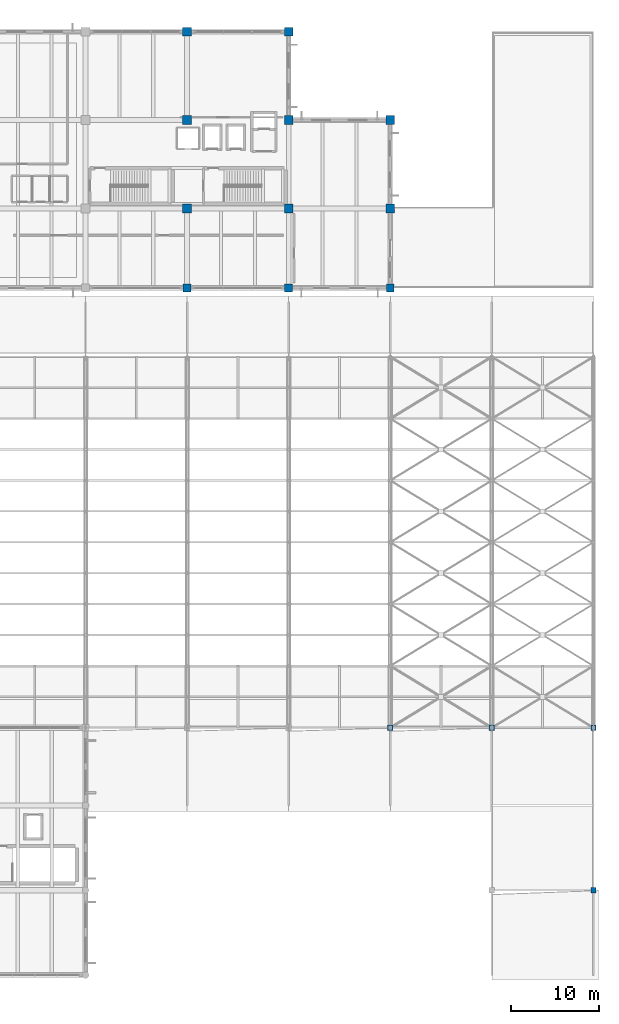
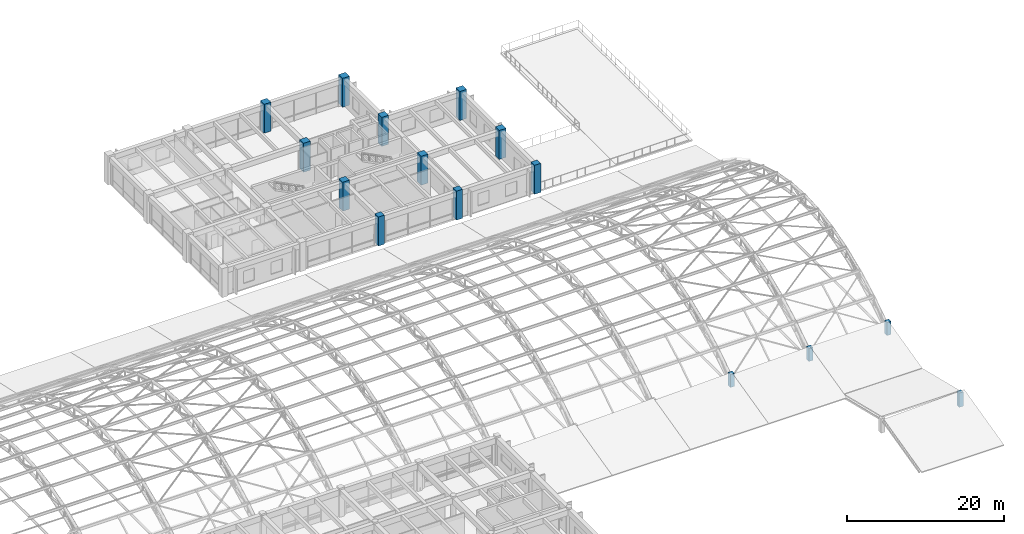
# One storey, part 2 of 154: 15 columns.
"""IFC4 building model written with IfcOpenShell, lengths in metres."""

import ifcopenshell
import ifcopenshell.guid

model = None  # the IFC model being written
_history = None  # IfcOwnerHistory: only IFC2X3 demands one
_inside = {}  # id of a spatial element -> (the spatial element, [elements in it])
_under = {}  # id of a project, library or spatial element -> (it, [spatial elements below it])
_declared = {}  # id of a project -> (the project, [libraries it declares])
_typed = {}  # id of a type object -> (the type object, [elements of that type])
_made_of = {}  # id of a material, layer set ... -> (it, [elements and type objects made of it])


def new_model(schema):
    """Start an empty IFC model of exactly this schema.

    Asked for "IFC4X3", IfcOpenShell would pick the latest addendum, in which some entities
    have other attributes; the version numbers below select the first issue.
    IFC2X3 requires an IfcOwnerHistory on every rooted entity: one is made here for all.
    """
    global model, _history
    if schema == "IFC4X3":
        model = ifcopenshell.file(schema_version=(4, 3, 0, 0))
    else:
        model = ifcopenshell.file(schema=schema)
    _inside.clear()
    _under.clear()
    _declared.clear()
    _typed.clear()
    _made_of.clear()
    _history = None
    if model.schema == "IFC2X3":
        org = make("IfcOrganization", Name="unknown")
        user = make(
            "IfcPersonAndOrganization",
            ThePerson=make("IfcPerson", FamilyName="unknown"),
            TheOrganization=org,
        )
        app = make(
            "IfcApplication",
            ApplicationDeveloper=org,
            Version="unknown",
            ApplicationFullName="unknown",
            ApplicationIdentifier="unknown",
        )
        _history = make(
            "IfcOwnerHistory",
            OwningUser=user,
            OwningApplication=app,
            ChangeAction="ADDED",
            CreationDate=0,
        )
    return model


def make(cls, **values):
    """One entity of the class cls with the attributes given. An attribute that is None is left unset."""
    return model.create_entity(
        cls, **{name: value for name, value in values.items() if value is not None}
    )


def rooted(cls, **values):
    """An entity with a GlobalId (a new one), such as an element, a storey or a relation."""
    return make(cls, GlobalId=ifcopenshell.guid.new(), OwnerHistory=_history, **values)


def si_unit(unit_type, name, prefix=None):
    """IfcSIUnit, for example si_unit("LENGTHUNIT", "METRE", prefix="MILLI")."""
    return make("IfcSIUnit", UnitType=unit_type, Prefix=prefix, Name=name)


def assignment(units):
    """IfcUnitAssignment: the units of a project."""
    return None if units is None else make("IfcUnitAssignment", Units=units)


def point(xyz):
    """IfcCartesianPoint."""
    return None if xyz is None else make("IfcCartesianPoint", Coordinates=xyz)


def direction(xyz):
    """IfcDirection."""
    return None if xyz is None else make("IfcDirection", DirectionRatios=xyz)


def frame(location, z_axis=None, x_axis=None):
    """IfcAxis2Placement3D, a coordinate frame: its origin and axes. An axis left out is left unset."""
    return make(
        "IfcAxis2Placement3D",
        Location=point(location),
        Axis=direction(z_axis),
        RefDirection=direction(x_axis),
    )


def frame_2d(location, x_axis=None):
    """IfcAxis2Placement2D, a coordinate frame in the plane: its origin and x axis."""
    return make(
        "IfcAxis2Placement2D", Location=point(location), RefDirection=direction(x_axis)
    )


def origin():
    """The frame at (0, 0, 0) with its axes left unset."""
    return frame((0.0, 0.0, 0.0))


def origin_2d():
    """The frame at (0, 0) in the plane with its x axis left unset."""
    return frame_2d((0.0, 0.0))


def place(relative_to, where):
    """IfcLocalPlacement: puts the frame where relative to a parent placement (None: the world)."""
    return make(
        "IfcLocalPlacement", PlacementRelTo=relative_to, RelativePlacement=where
    )


def context(
    kind, dimensions, precision=None, world=None, true_north=None, identifier=None
):
    """IfcGeometricRepresentationContext, for example the 3D "Model" context."""
    return make(
        "IfcGeometricRepresentationContext",
        ContextIdentifier=identifier,
        ContextType=kind,
        CoordinateSpaceDimension=dimensions,
        Precision=precision,
        WorldCoordinateSystem=world,
        TrueNorth=true_north,
    )


def subcontext(parent, identifier, kind, view, scale=None):
    """IfcGeometricRepresentationSubContext, for example "Body" below "Model"."""
    return make(
        "IfcGeometricRepresentationSubContext",
        ContextIdentifier=identifier,
        ContextType=kind,
        ParentContext=parent,
        TargetScale=scale,
        TargetView=view,
    )


def project(units=None, contexts=None):
    """IfcProject with its units and contexts."""
    return rooted(
        "IfcProject",
        Name="project",
        RepresentationContexts=contexts,
        UnitsInContext=assignment(units),
    )


def spatial(cls, under=None, at=None, **own):
    """A site, building, storey or space (cls), placed at a placement, below another one or the project."""
    s = rooted(cls, ObjectPlacement=at, **own)
    if under is not None:
        _under.setdefault(under.id(), (under, []))[1].append(s)
    return s


def profile(cls, at=None, kind="AREA", **sizes):
    """A parametric profile (cls). Its sizes go by their IFC names, for example OverallWidth=200.0."""
    return make(cls, ProfileType=kind, Position=at, **sizes)


def rectangle(**sizes):
    """IfcRectangleProfileDef."""
    return profile("IfcRectangleProfileDef", **sizes)


def extrude(swept, where, along, depth):
    """IfcExtrudedAreaSolid: the profile swept, set in the frame where, extruded along a direction by depth."""
    return make(
        "IfcExtrudedAreaSolid",
        SweptArea=swept,
        Position=where,
        ExtrudedDirection=direction(along),
        Depth=depth,
    )


def shape(context_of_items, identifier, shape_type, items):
    """IfcShapeRepresentation: the items that make up one representation, for example the "Body"."""
    return make(
        "IfcShapeRepresentation",
        ContextOfItems=context_of_items,
        RepresentationIdentifier=identifier,
        RepresentationType=shape_type,
        Items=items,
    )


def material(Name=None, Category=None):
    """IfcMaterial."""
    return make("IfcMaterial", Name=Name, Category=Category)


def material_profile(
    of_material, cross_section, Name=None, Category=None, Priority=None
):
    """IfcMaterialProfile: a cross section and its material."""
    return make(
        "IfcMaterialProfile",
        Name=Name,
        Material=of_material,
        Profile=cross_section,
        Priority=Priority,
        Category=Category,
    )


def profile_set(profiles, Name=None, composite=None):
    """IfcMaterialProfileSet."""
    return make(
        "IfcMaterialProfileSet",
        Name=Name,
        MaterialProfiles=profiles,
        CompositeProfile=composite,
    )


def made_of(thing, what):
    """Note that an element or type object is made of a material, layer set ...; save() writes the relation."""
    if what is not None:
        _made_of.setdefault(what.id(), (what, []))[1].append(thing)
    return thing


def type_object(cls, material=None, **own):
    """A type object (cls), such as IfcWallType, which elements share."""
    return made_of(rooted(cls, **own), material)


def element(
    cls,
    number,
    at=None,
    inside=None,
    cuts=None,
    type_object=None,
    material=None,
    context=None,
    identifier="Body",
    shape_type=None,
    held_by="IfcProductDefinitionShape",
    body=None,
    shapes=None,
    **own,
):
    """One element of the class cls, such as IfcWall. Its Tag is "e" and its number.

    at: its placement. inside: the storey or other place that contains it. cuts: it is an
    opening in that element (IfcRelVoidsElement). A single representation is given by context,
    identifier, shape_type and body (its items); several are given by shapes. held_by: the class
    of the entity that holds the representations. save() writes the other relations.
    """
    e = rooted(cls, Tag="e%d" % number, ObjectPlacement=at, **own)
    if body is not None:
        shapes = [shape(context, identifier, shape_type, body)]
    if shapes is not None:
        e.Representation = make(held_by, Representations=shapes)
    if inside is not None:
        _inside.setdefault(inside.id(), (inside, []))[1].append(e)
    if cuts is not None:
        rooted(
            "IfcRelVoidsElement", RelatingBuildingElement=cuts, RelatedOpeningElement=e
        )
    if type_object is not None:
        _typed.setdefault(type_object.id(), (type_object, []))[1].append(e)
    return made_of(e, material)


def aggregate(whole, parts):
    """IfcRelAggregates: a whole, such as a stair, and the parts it consists of."""
    return rooted("IfcRelAggregates", RelatingObject=whole, RelatedObjects=parts)


def save(model, path):
    """Write the relations noted so far, then the file.

    IfcRelAggregates (storeys below a building ...), IfcRelContainedInSpatialStructure (elements
    in a storey), IfcRelDefinesByType, IfcRelAssociatesMaterial and IfcRelDeclares: one each for
    every whole, place, type object, material and project.
    """
    for whole, parts in _under.values():
        aggregate(whole, parts)
    for where, things in _inside.values():
        rooted(
            "IfcRelContainedInSpatialStructure",
            RelatedElements=things,
            RelatingStructure=where,
        )
    for kind, things in _typed.values():
        rooted("IfcRelDefinesByType", RelatedObjects=things, RelatingType=kind)
    for what, things in _made_of.values():
        rooted("IfcRelAssociatesMaterial", RelatedObjects=things, RelatingMaterial=what)
    for by, libraries in _declared.values():
        rooted("IfcRelDeclares", RelatingContext=by, RelatedDefinitions=libraries)
    model.write(path)


model = new_model("IFC4")

# Units and contexts
model_context = context("Model", 3, precision=1e-05, world=origin(), true_north=direction((0.0, 1.0)))
body_context = subcontext(model_context, "Body", "Model", "MODEL_VIEW")
ifc_project = project(units=[si_unit("LENGTHUNIT", "METRE"), si_unit("AREAUNIT", "SQUARE_METRE"), si_unit("VOLUMEUNIT", "CUBIC_METRE"), si_unit("PLANEANGLEUNIT", "RADIAN"), si_unit("MASSUNIT", "GRAM", prefix="KILO")], contexts=[model_context])

# Site, building, storey
site_placement = place(None, origin())
site = spatial("IfcSite", under=ifc_project, at=site_placement, CompositionType="ELEMENT")
building_placement = place(site_placement, origin())
building = spatial("IfcBuilding", under=site, at=building_placement, Name="Ologun Quay Terminus", CompositionType="ELEMENT")
storey_placement = place(building_placement, frame((0.0, 0.0, 13.800048828125)))
storey = spatial("IfcBuildingStorey", under=building, at=storey_placement, Name="L03", CompositionType="ELEMENT", Elevation=13.800048828125)

# Columns
ifc_material_1 = material(Name="Concrete C45/55", Category="concrete")
ifc_material_profile_1 = material_profile(ifc_material_1, rectangle(XDim=0.89990234375, YDim=0.89990234375, at=origin_2d()), Name="RC 900x900")
ifc_profile_set_1 = profile_set([ifc_material_profile_1], Name="Concrete C45/55")
column_type_1 = type_object("IfcColumnType", Name="Courtyard Wing Mid Column 900x900", PredefinedType="COLUMN", material=ifc_profile_set_1)
for number, where, z_axis, x_axis, name in (
    (1, (138.0, 85.800048828125, 0.0), (0.0, 0.0, 1.0), (1.0, 0.0, 0.0), "C3 Column 13/G2 L03"),
    (2, (149.5, 85.800048828125, 0.0), (0.0, 0.0, 1.0), (1.0, 0.0, 0.0), "C3 Column 14/G2 L03"),
    (3, (161.0, 85.800048828125, 0.0), (0.0, 0.0, 1.0), (1.0, 0.0, 0.0), "C3 Column 15/G2 L03"),
):
    element("IfcColumn", number, at=place(storey_placement, frame(where, z_axis=z_axis, x_axis=x_axis)), inside=storey, type_object=column_type_1, Name=name, PredefinedType="COLUMN", context=body_context, shape_type="SweptSolid", body=[
        extrude(rectangle(XDim=0.89990234375, YDim=0.89990234375, at=origin_2d()), origin(), (0.0, 0.0, 1.0), 4.5),
    ])
ifc_material_2 = material(Name="Concrete C45/55", Category="concrete")
ifc_material_profile_2 = material_profile(ifc_material_2, rectangle(XDim=1.0, YDim=1.0, at=origin_2d()), Name="RC 1000x1000")
ifc_profile_set_2 = profile_set([ifc_material_profile_2], Name="Concrete C45/55")
column_type_2 = type_object("IfcColumnType", Name="Courtyard Wing Mid-Lower Column 1000x1000", PredefinedType="COLUMN", material=ifc_profile_set_2)
for number, where, z_axis, x_axis, name in (
    (4, (138.0, 94.800048828125, 0.0), (0.0, 0.0, 1.0), (1.0, 0.0, 0.0), "C2 Column 13/H L03"),
    (5, (138.0, 104.800048828125, 0.0), (0.0, 0.0, 1.0), (1.0, 0.0, 0.0), "C2 Column 13/J L03"),
    (6, (138.0, 114.800048828125, 0.0), (0.0, 0.0, 1.0), (1.0, 0.0, 0.0), "C2 Column 13/K L03"),
    (7, (149.5, 94.800048828125, 0.0), (0.0, 0.0, 1.0), (1.0, 0.0, 0.0), "C2 Column 14/H L03"),
    (8, (149.5, 104.800048828125, 0.0), (0.0, 0.0, 1.0), (1.0, 0.0, 0.0), "C2 Column 14/J L03"),
    (9, (149.5, 114.800048828125, 0.0), (0.0, 0.0, 1.0), (1.0, 0.0, 0.0), "C2 Column 14/K L03"),
    (10, (161.0, 94.800048828125, 0.0), (0.0, 0.0, 1.0), (1.0, 0.0, 0.0), "C2 Column 15/H L03"),
    (11, (161.0, 104.800048828125, 0.0), (0.0, 0.0, 1.0), (1.0, 0.0, 0.0), "C2 Column 15/J L03"),
):
    element("IfcColumn", number, at=place(storey_placement, frame(where, z_axis=z_axis, x_axis=x_axis)), inside=storey, type_object=column_type_2, Name=name, PredefinedType="COLUMN", context=body_context, shape_type="SweptSolid", body=[
        extrude(rectangle(XDim=1.0, YDim=1.0, at=origin_2d()), origin(), (0.0, 0.0, 1.0), 4.5),
    ])
ifc_material_3 = material(Name="Concrete C40/50", Category="concrete")
ifc_material_profile_3 = material_profile(ifc_material_3, rectangle(XDim=0.60009765625, YDim=0.60009765625, at=origin_2d()), Name="RC 600x600")
ifc_profile_set_3 = profile_set([ifc_material_profile_3], Name="Concrete C40/50")
column_type_3 = type_object("IfcColumnType", Name="Podium Retail Column 600x600", PredefinedType="COLUMN", material=ifc_profile_set_3)
column_1_placement = place(storey_placement, frame((172.5, 36.0, 0.0), z_axis=(0.0, 0.0, 1.0), x_axis=(1.0, 0.0, 0.0)))
element("IfcColumn", 12, at=column_1_placement, inside=storey, type_object=column_type_3, Name="C7 Roof Ridge Stub L03-SE-16-DEB", PredefinedType="COLUMN", context=body_context, shape_type="SweptSolid", body=[
    extrude(rectangle(XDim=0.60009765625, YDim=0.60009765625, at=origin_2d()), origin(), (0.0, 0.0, 1.0), 2.030029296875),
])
column_2_placement = place(storey_placement, frame((184.0, 17.60009765625, 0.0), z_axis=(0.0, 0.0, 1.0), x_axis=(1.0, 0.0, 0.0)))
element("IfcColumn", 13, at=column_2_placement, inside=storey, type_object=column_type_3, Name="C7 Roof Ridge Stub L03-SE-17-BCB", PredefinedType="COLUMN", context=body_context, shape_type="SweptSolid", body=[
    extrude(rectangle(XDim=0.60009765625, YDim=0.60009765625, at=origin_2d()), origin(), (0.0, 0.0, 1.0), 2.22998046875),
])
for number, where, z_axis, x_axis, name in (
    (14, (184.0, 36.0, 0.0), (0.0, 0.0, 1.0), (1.0, 0.0, 0.0), "C7 Roof Ridge Stub L03-SE-17-DEB"),
    (15, (161.0, 36.0, 0.0), (0.0, 0.0, 1.0), (1.0, 0.0, 0.0), "C7 Roof Ridge Stub L03-SEL-15-DEB"),
):
    element("IfcColumn", number, at=place(storey_placement, frame(where, z_axis=z_axis, x_axis=x_axis)), inside=storey, type_object=column_type_3, Name=name, PredefinedType="COLUMN", context=body_context, shape_type="SweptSolid", body=[
        extrude(rectangle(XDim=0.60009765625, YDim=0.60009765625, at=origin_2d()), origin(), (0.0, 0.0, 1.0), 2.030029296875),
    ])

save(model, "model.ifc")
